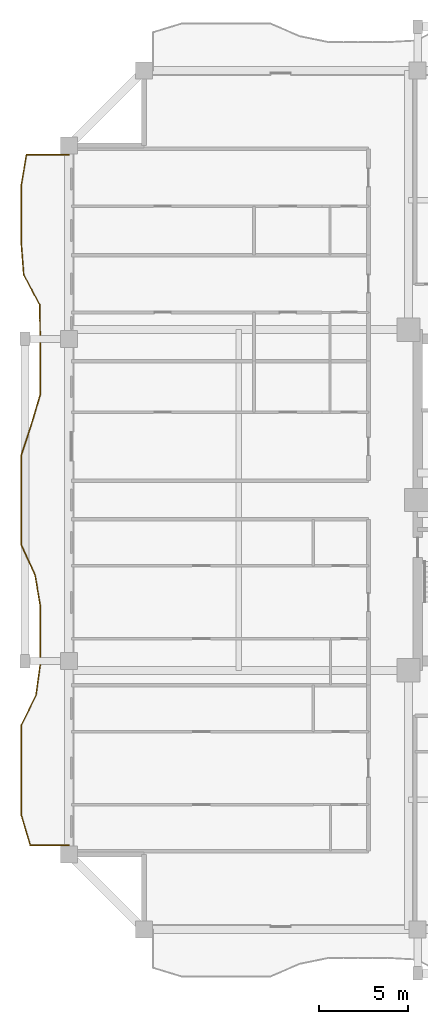
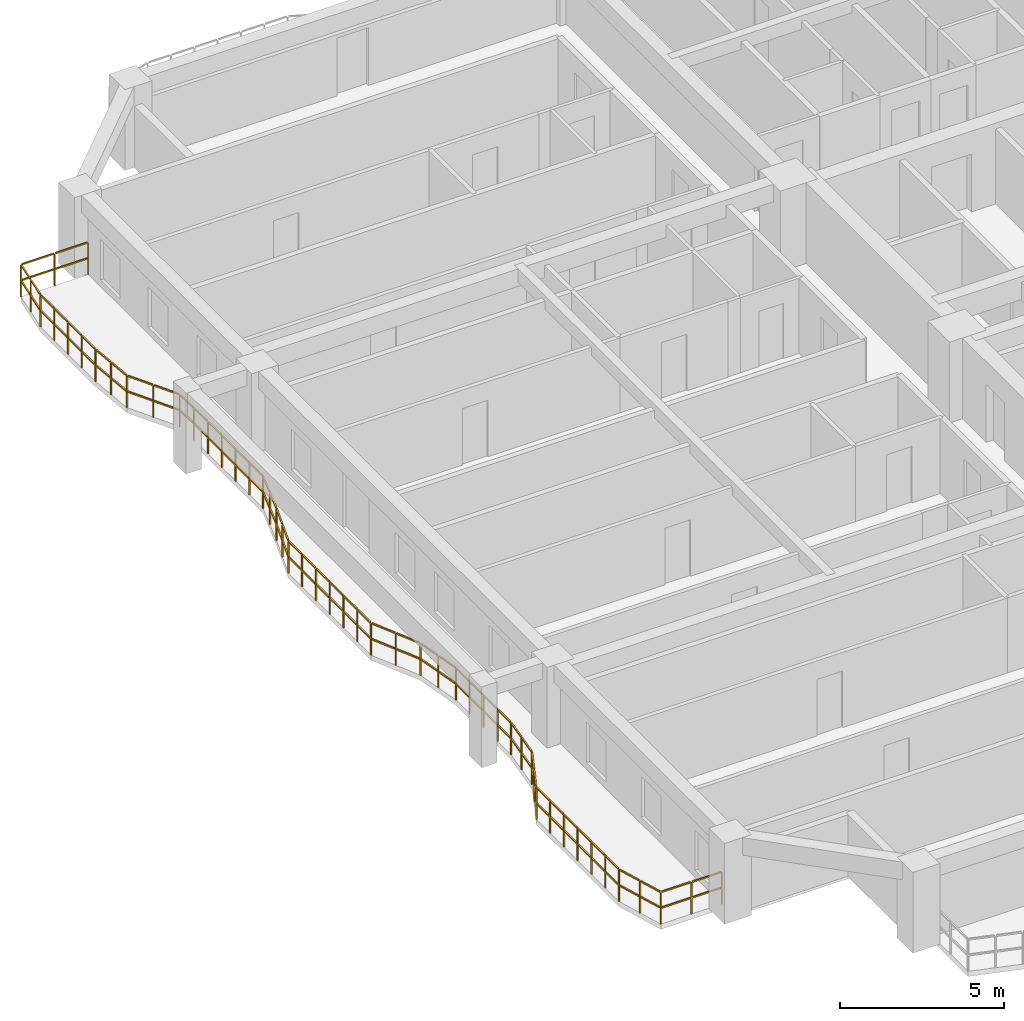
# One storey, part 11 of 14: 1 railing.
"""IFC4 building model written with IfcOpenShell, lengths in metres."""

from ifc_helpers import new_model, si_unit, direction, frame, origin, origin_2d, place, context, subcontext, project, spatial, rectangle, extrude, material, type_object, element, save


model = new_model("IFC4")

# Units and contexts
model_context = context("Model", 3, precision=1e-05, world=origin(), true_north=direction((0.0, 1.0)))
body_context = subcontext(model_context, "Body", "Model", "MODEL_VIEW")
ifc_project = project(units=[si_unit("LENGTHUNIT", "METRE"), si_unit("AREAUNIT", "SQUARE_METRE"), si_unit("VOLUMEUNIT", "CUBIC_METRE"), si_unit("PLANEANGLEUNIT", "RADIAN"), si_unit("MASSUNIT", "GRAM", prefix="KILO")], contexts=[model_context])

# Site, building, storey
site_placement = place(None, origin())
site = spatial("IfcSite", under=ifc_project, at=site_placement, CompositionType="ELEMENT")
building_placement = place(site_placement, origin())
building = spatial("IfcBuilding", under=site, at=building_placement, Name="Saelheon Loggia Tower", CompositionType="ELEMENT")
storey_placement = place(building_placement, frame((0.0, 0.0, 113.85009765625)))
storey = spatial("IfcBuildingStorey", under=building, at=storey_placement, Name="L36", CompositionType="ELEMENT", Elevation=113.85009765625)

# Railing
ifc_material = material(Name="Architectural Precast Concrete and Laminated Glass Guard", Category="concrete")
railing_type = type_object("IfcRailingType", Name="Guard_Loggia_RL_LOG", PredefinedType="BALUSTRADE", material=ifc_material)
railing_placement = place(storey_placement, frame((12.0, 46.300048828125, 0.0)))
element("IfcRailing", 1, at=railing_placement, inside=storey, type_object=railing_type, Name="L36 West Loggia Balustrade", PredefinedType="BALUSTRADE", context=body_context, shape_type="SweptSolid", body=[
    extrude(rectangle(XDim=0.048095703125, YDim=0.048095703125, at=origin_2d()), frame((-0.033203125, 0.0, 1.19580078125), z_axis=(-1.0, 0.0, 0.0), x_axis=(0.0, -1.0, 0.0)), (0.0, 0.0, 1.0), 1.116943359375),
    extrude(rectangle(XDim=0.048095703125, YDim=0.048095703125, at=origin_2d()), frame((-0.033203125, 0.0, 0.60986328125), z_axis=(-1.0, 0.0, 0.0), x_axis=(0.0, -1.0, 0.0)), (0.0, 0.0, 1.0), 1.116943359375),
    extrude(rectangle(XDim=0.048095703125, YDim=0.048095703125, at=origin_2d()), frame((-1.216552734375, 0.0, 1.19580078125), z_axis=(-1.0, 0.0, 0.0), x_axis=(0.0, -1.0, 0.0)), (0.0, 0.0, 1.0), 1.116943359375),
    extrude(rectangle(XDim=0.048095703125, YDim=0.048095703125, at=origin_2d()), frame((-1.216552734375, 0.0, 0.60986328125), z_axis=(-1.0, 0.0, 0.0), x_axis=(0.0, -1.0, 0.0)), (0.0, 0.0, 1.0), 1.116943359375),
    extrude(rectangle(XDim=0.048095703125, YDim=0.048095703125, at=origin_2d()), frame((-2.372314453125, -0.03271484375, 1.19580078125), z_axis=(-0.166375627522, -0.9860624476, 0.0), x_axis=(0.9860624476, -0.166375627522, 0.0)), (0.0, 0.0, 1.0), 0.78466796875),
    extrude(rectangle(XDim=0.048095703125, YDim=0.048095703125, at=origin_2d()), frame((-2.372314453125, -0.03271484375, 0.60986328125), z_axis=(-0.166375627522, -0.9860624476, 0.0), x_axis=(0.9860624476, -0.166375627522, 0.0)), (0.0, 0.0, 1.0), 0.78466796875),
    extrude(rectangle(XDim=0.048095703125, YDim=0.048095703125, at=origin_2d()), frame((-2.513916015625, -0.8720703125, 1.19580078125), z_axis=(-0.166375627522, -0.9860624476, 0.0), x_axis=(0.9860624476, -0.166375627522, 0.0)), (0.0, 0.0, 1.0), 0.78466796875),
    extrude(rectangle(XDim=0.048095703125, YDim=0.048095703125, at=origin_2d()), frame((-2.513916015625, -0.8720703125, 0.60986328125), z_axis=(-0.166375627522, -0.9860624476, 0.0), x_axis=(0.9860624476, -0.166375627522, 0.0)), (0.0, 0.0, 1.0), 0.78466796875),
    extrude(rectangle(XDim=0.048095703125, YDim=0.048095703125, at=origin_2d()), frame((-2.64990234375, -1.711669921875, 1.19580078125), z_axis=(0.0, -1.0, 0.0), x_axis=(1.0, 0.0, 0.0)), (0.0, 0.0, 1.0), 0.7724609375),
    extrude(rectangle(XDim=0.048095703125, YDim=0.048095703125, at=origin_2d()), frame((-2.64990234375, -1.711669921875, 0.60986328125), z_axis=(0.0, -1.0, 0.0), x_axis=(1.0, 0.0, 0.0)), (0.0, 0.0, 1.0), 0.7724609375),
    extrude(rectangle(XDim=0.048095703125, YDim=0.048095703125, at=origin_2d()), frame((-2.64990234375, -2.55078125, 1.19580078125), z_axis=(0.0, -1.0, 0.0), x_axis=(1.0, 0.0, 0.0)), (0.0, 0.0, 1.0), 0.7724609375),
    extrude(rectangle(XDim=0.048095703125, YDim=0.048095703125, at=origin_2d()), frame((-2.64990234375, -2.55078125, 0.60986328125), z_axis=(0.0, -1.0, 0.0), x_axis=(1.0, 0.0, 0.0)), (0.0, 0.0, 1.0), 0.7724609375),
    extrude(rectangle(XDim=0.048095703125, YDim=0.048095703125, at=origin_2d()), frame((-2.64990234375, -3.3896484375, 1.19580078125), z_axis=(0.0, -1.0, 0.0), x_axis=(1.0, 0.0, 0.0)), (0.0, 0.0, 1.0), 0.772705078125),
    extrude(rectangle(XDim=0.048095703125, YDim=0.048095703125, at=origin_2d()), frame((-2.64990234375, -3.3896484375, 0.60986328125), z_axis=(0.0, -1.0, 0.0), x_axis=(1.0, 0.0, 0.0)), (0.0, 0.0, 1.0), 0.772705078125),
    extrude(rectangle(XDim=0.048095703125, YDim=0.048095703125, at=origin_2d()), frame((-2.64990234375, -4.22900390625, 1.19580078125), z_axis=(0.0, -1.0, 0.0), x_axis=(1.0, 0.0, 0.0)), (0.0, 0.0, 1.0), 0.772705078125),
    extrude(rectangle(XDim=0.048095703125, YDim=0.048095703125, at=origin_2d()), frame((-2.64990234375, -4.22900390625, 0.60986328125), z_axis=(0.0, -1.0, 0.0), x_axis=(1.0, 0.0, 0.0)), (0.0, 0.0, 1.0), 0.772705078125),
    extrude(rectangle(XDim=0.048095703125, YDim=0.048095703125, at=origin_2d()), frame((-2.647216796875, -5.068115234375, 1.19580078125), z_axis=(0.07788316248, -0.996962493277, 0.0), x_axis=(0.996962493277, 0.07788316248, 0.0)), (0.0, 0.0, 1.0), 0.775146484375),
    extrude(rectangle(XDim=0.048095703125, YDim=0.048095703125, at=origin_2d()), frame((-2.647216796875, -5.068115234375, 0.60986328125), z_axis=(0.07788316248, -0.996962493277, 0.0), x_axis=(0.996962493277, 0.07788316248, 0.0)), (0.0, 0.0, 1.0), 0.775146484375),
    extrude(rectangle(XDim=0.048095703125, YDim=0.048095703125, at=origin_2d()), frame((-2.581787109375, -5.9072265625, 1.19580078125), z_axis=(0.07788316248, -0.996962493277, 0.0), x_axis=(0.996962493277, 0.07788316248, 0.0)), (0.0, 0.0, 1.0), 0.775146484375),
    extrude(rectangle(XDim=0.048095703125, YDim=0.048095703125, at=origin_2d()), frame((-2.581787109375, -5.9072265625, 0.60986328125), z_axis=(0.07788316248, -0.996962493277, 0.0), x_axis=(0.996962493277, 0.07788316248, 0.0)), (0.0, 0.0, 1.0), 0.775146484375),
    extrude(rectangle(XDim=0.048095703125, YDim=0.048095703125, at=origin_2d()), frame((-2.503173828125, -6.742431640625, 1.19580078125), z_axis=(0.469974960168, -0.882679747595, 0.0), x_axis=(0.882679747595, 0.469974960168, 0.0)), (0.0, 0.0, 1.0), 0.88427734375),
    extrude(rectangle(XDim=0.048095703125, YDim=0.048095703125, at=origin_2d()), frame((-2.503173828125, -6.742431640625, 0.60986328125), z_axis=(0.469974960168, -0.882679747595, 0.0), x_axis=(0.882679747595, 0.469974960168, 0.0)), (0.0, 0.0, 1.0), 0.88427734375),
    extrude(rectangle(XDim=0.048095703125, YDim=0.048095703125, at=origin_2d()), frame((-2.056396484375, -7.58154296875, 1.19580078125), z_axis=(0.469974960168, -0.882679747595, 0.0), x_axis=(0.882679747595, 0.469974960168, 0.0)), (0.0, 0.0, 1.0), 0.88427734375),
    extrude(rectangle(XDim=0.048095703125, YDim=0.048095703125, at=origin_2d()), frame((-2.056396484375, -7.58154296875, 0.60986328125), z_axis=(0.469974960168, -0.882679747595, 0.0), x_axis=(0.882679747595, 0.469974960168, 0.0)), (0.0, 0.0, 1.0), 0.88427734375),
    extrude(rectangle(XDim=0.048095703125, YDim=0.048095703125, at=origin_2d()), frame((-1.624755859375, -8.424560546875, 1.19580078125), z_axis=(0.014982315851, -0.999887758807, 0.0), x_axis=(0.999887758807, 0.014982315851, 0.0)), (0.0, 0.0, 1.0), 0.772705078125),
    extrude(rectangle(XDim=0.048095703125, YDim=0.048095703125, at=origin_2d()), frame((-1.624755859375, -8.424560546875, 0.60986328125), z_axis=(0.014982315851, -0.999887758807, 0.0), x_axis=(0.999887758807, 0.014982315851, 0.0)), (0.0, 0.0, 1.0), 0.772705078125),
    extrude(rectangle(XDim=0.048095703125, YDim=0.048095703125, at=origin_2d()), frame((-1.612060546875, -9.263671875, 1.19580078125), z_axis=(0.014982315851, -0.999887758807, 0.0), x_axis=(0.999887758807, 0.014982315851, 0.0)), (0.0, 0.0, 1.0), 0.772705078125),
    extrude(rectangle(XDim=0.048095703125, YDim=0.048095703125, at=origin_2d()), frame((-1.612060546875, -9.263671875, 0.60986328125), z_axis=(0.014982315851, -0.999887758807, 0.0), x_axis=(0.999887758807, 0.014982315851, 0.0)), (0.0, 0.0, 1.0), 0.772705078125),
    extrude(rectangle(XDim=0.048095703125, YDim=0.048095703125, at=origin_2d()), frame((-1.60009765625, -10.102783203125, 1.19580078125), z_axis=(0.0, -1.0, 0.0), x_axis=(1.0, 0.0, 0.0)), (0.0, 0.0, 1.0), 0.772705078125),
    extrude(rectangle(XDim=0.048095703125, YDim=0.048095703125, at=origin_2d()), frame((-1.60009765625, -10.102783203125, 0.60986328125), z_axis=(0.0, -1.0, 0.0), x_axis=(1.0, 0.0, 0.0)), (0.0, 0.0, 1.0), 0.772705078125),
    extrude(rectangle(XDim=0.048095703125, YDim=0.048095703125, at=origin_2d()), frame((-1.60009765625, -10.94189453125, 1.19580078125), z_axis=(0.0, -1.0, 0.0), x_axis=(1.0, 0.0, 0.0)), (0.0, 0.0, 1.0), 0.772705078125),
    extrude(rectangle(XDim=0.048095703125, YDim=0.048095703125, at=origin_2d()), frame((-1.60009765625, -10.94189453125, 0.60986328125), z_axis=(0.0, -1.0, 0.0), x_axis=(1.0, 0.0, 0.0)), (0.0, 0.0, 1.0), 0.772705078125),
    extrude(rectangle(XDim=0.048095703125, YDim=0.048095703125, at=origin_2d()), frame((-1.60009765625, -11.781005859375, 1.19580078125), z_axis=(0.0, -1.0, 0.0), x_axis=(1.0, 0.0, 0.0)), (0.0, 0.0, 1.0), 0.772705078125),
    extrude(rectangle(XDim=0.048095703125, YDim=0.048095703125, at=origin_2d()), frame((-1.60009765625, -11.781005859375, 0.60986328125), z_axis=(0.0, -1.0, 0.0), x_axis=(1.0, 0.0, 0.0)), (0.0, 0.0, 1.0), 0.772705078125),
    extrude(rectangle(XDim=0.048095703125, YDim=0.048095703125, at=origin_2d()), frame((-1.60009765625, -12.620361328125, 1.19580078125), z_axis=(0.0, -1.0, 0.0), x_axis=(1.0, 0.0, 0.0)), (0.0, 0.0, 1.0), 0.772705078125),
    extrude(rectangle(XDim=0.048095703125, YDim=0.048095703125, at=origin_2d()), frame((-1.60009765625, -12.620361328125, 0.60986328125), z_axis=(0.0, -1.0, 0.0), x_axis=(1.0, 0.0, 0.0)), (0.0, 0.0, 1.0), 0.772705078125),
    extrude(rectangle(XDim=0.048095703125, YDim=0.048095703125, at=origin_2d()), frame((-1.609619140625, -13.458251953125, 1.19580078125), z_axis=(-0.284416013132, -0.958700960401, 0.0), x_axis=(0.958700960401, -0.284416013132, 0.0)), (0.0, 0.0, 1.0), 0.80859375),
    extrude(rectangle(XDim=0.048095703125, YDim=0.048095703125, at=origin_2d()), frame((-1.609619140625, -13.458251953125, 0.60986328125), z_axis=(-0.284416013132, -0.958700960401, 0.0), x_axis=(0.958700960401, -0.284416013132, 0.0)), (0.0, 0.0, 1.0), 0.80859375),
    extrude(rectangle(XDim=0.048095703125, YDim=0.048095703125, at=origin_2d()), frame((-1.8583984375, -14.297119140625, 1.19580078125), z_axis=(-0.284416013132, -0.958700960401, 0.0), x_axis=(0.958700960401, -0.284416013132, 0.0)), (0.0, 0.0, 1.0), 0.80859375),
    extrude(rectangle(XDim=0.048095703125, YDim=0.048095703125, at=origin_2d()), frame((-1.8583984375, -14.297119140625, 0.60986328125), z_axis=(-0.284416013132, -0.958700960401, 0.0), x_axis=(0.958700960401, -0.284416013132, 0.0)), (0.0, 0.0, 1.0), 0.80859375),
    extrude(rectangle(XDim=0.048095703125, YDim=0.048095703125, at=origin_2d()), frame((-2.1083984375, -15.1357421875, 1.19580078125), z_axis=(-0.312411606213, -0.949946834461, 0.0), x_axis=(0.949946834461, -0.312411606213, 0.0)), (0.0, 0.0, 1.0), 0.81689453125),
    extrude(rectangle(XDim=0.048095703125, YDim=0.048095703125, at=origin_2d()), frame((-2.1083984375, -15.1357421875, 0.60986328125), z_axis=(-0.312411606213, -0.949946834461, 0.0), x_axis=(0.949946834461, -0.312411606213, 0.0)), (0.0, 0.0, 1.0), 0.81689453125),
    extrude(rectangle(XDim=0.048095703125, YDim=0.048095703125, at=origin_2d()), frame((-2.38427734375, -15.97509765625, 1.19580078125), z_axis=(-0.312411606213, -0.949946834461, 0.0), x_axis=(0.949946834461, -0.312411606213, 0.0)), (0.0, 0.0, 1.0), 0.81689453125),
    extrude(rectangle(XDim=0.048095703125, YDim=0.048095703125, at=origin_2d()), frame((-2.38427734375, -15.97509765625, 0.60986328125), z_axis=(-0.312411606213, -0.949946834461, 0.0), x_axis=(0.949946834461, -0.312411606213, 0.0)), (0.0, 0.0, 1.0), 0.81689453125),
    extrude(rectangle(XDim=0.048095703125, YDim=0.048095703125, at=origin_2d()), frame((-2.64990234375, -16.81591796875, 1.19580078125), z_axis=(0.0, -1.0, 0.0), x_axis=(1.0, 0.0, 0.0)), (0.0, 0.0, 1.0), 0.772705078125),
    extrude(rectangle(XDim=0.048095703125, YDim=0.048095703125, at=origin_2d()), frame((-2.64990234375, -16.81591796875, 0.60986328125), z_axis=(0.0, -1.0, 0.0), x_axis=(1.0, 0.0, 0.0)), (0.0, 0.0, 1.0), 0.772705078125),
    extrude(rectangle(XDim=0.048095703125, YDim=0.048095703125, at=origin_2d()), frame((-2.64990234375, -17.655029296875, 1.19580078125), z_axis=(0.0, -1.0, 0.0), x_axis=(1.0, 0.0, 0.0)), (0.0, 0.0, 1.0), 0.772705078125),
    extrude(rectangle(XDim=0.048095703125, YDim=0.048095703125, at=origin_2d()), frame((-2.64990234375, -17.655029296875, 0.60986328125), z_axis=(0.0, -1.0, 0.0), x_axis=(1.0, 0.0, 0.0)), (0.0, 0.0, 1.0), 0.772705078125),
    extrude(rectangle(XDim=0.048095703125, YDim=0.048095703125, at=origin_2d()), frame((-2.64990234375, -18.494140625, 1.19580078125), z_axis=(0.0, -1.0, 0.0), x_axis=(1.0, 0.0, 0.0)), (0.0, 0.0, 1.0), 0.772705078125),
    extrude(rectangle(XDim=0.048095703125, YDim=0.048095703125, at=origin_2d()), frame((-2.64990234375, -18.494140625, 0.60986328125), z_axis=(0.0, -1.0, 0.0), x_axis=(1.0, 0.0, 0.0)), (0.0, 0.0, 1.0), 0.772705078125),
    extrude(rectangle(XDim=0.048095703125, YDim=0.048095703125, at=origin_2d()), frame((-2.64990234375, -19.333251953125, 1.19580078125), z_axis=(0.0, -1.0, 0.0), x_axis=(1.0, 0.0, 0.0)), (0.0, 0.0, 1.0), 0.772705078125),
    extrude(rectangle(XDim=0.048095703125, YDim=0.048095703125, at=origin_2d()), frame((-2.64990234375, -19.333251953125, 0.60986328125), z_axis=(0.0, -1.0, 0.0), x_axis=(1.0, 0.0, 0.0)), (0.0, 0.0, 1.0), 0.772705078125),
    extrude(rectangle(XDim=0.048095703125, YDim=0.048095703125, at=origin_2d()), frame((-2.64990234375, -20.17236328125, 1.19580078125), z_axis=(0.0, -1.0, 0.0), x_axis=(1.0, 0.0, 0.0)), (0.0, 0.0, 1.0), 0.772705078125),
    extrude(rectangle(XDim=0.048095703125, YDim=0.048095703125, at=origin_2d()), frame((-2.64990234375, -20.17236328125, 0.60986328125), z_axis=(0.0, -1.0, 0.0), x_axis=(1.0, 0.0, 0.0)), (0.0, 0.0, 1.0), 0.772705078125),
    extrude(rectangle(XDim=0.048095703125, YDim=0.048095703125, at=origin_2d()), frame((-2.64990234375, -21.011474609375, 1.19580078125), z_axis=(0.0, -1.0, 0.0), x_axis=(1.0, 0.0, 0.0)), (0.0, 0.0, 1.0), 0.772705078125),
    extrude(rectangle(XDim=0.048095703125, YDim=0.048095703125, at=origin_2d()), frame((-2.64990234375, -21.011474609375, 0.60986328125), z_axis=(0.0, -1.0, 0.0), x_axis=(1.0, 0.0, 0.0)), (0.0, 0.0, 1.0), 0.772705078125),
    extrude(rectangle(XDim=0.048095703125, YDim=0.048095703125, at=origin_2d()), frame((-2.635986328125, -21.84765625, 1.19580078125), z_axis=(0.41588480052, -0.909417303935, 0.0), x_axis=(0.909417303935, 0.41588480052, 0.0)), (0.0, 0.0, 1.0), 0.8564453125),
    extrude(rectangle(XDim=0.048095703125, YDim=0.048095703125, at=origin_2d()), frame((-2.635986328125, -21.84765625, 0.60986328125), z_axis=(0.41588480052, -0.909417303935, 0.0), x_axis=(0.909417303935, 0.41588480052, 0.0)), (0.0, 0.0, 1.0), 0.8564453125),
    extrude(rectangle(XDim=0.048095703125, YDim=0.048095703125, at=origin_2d()), frame((-2.252197265625, -22.686767578125, 1.19580078125), z_axis=(0.41588480052, -0.909417303935, 0.0), x_axis=(0.909417303935, 0.41588480052, 0.0)), (0.0, 0.0, 1.0), 0.8564453125),
    extrude(rectangle(XDim=0.048095703125, YDim=0.048095703125, at=origin_2d()), frame((-2.252197265625, -22.686767578125, 0.60986328125), z_axis=(0.41588480052, -0.909417303935, 0.0), x_axis=(0.909417303935, 0.41588480052, 0.0)), (0.0, 0.0, 1.0), 0.8564453125),
    extrude(rectangle(XDim=0.048095703125, YDim=0.048095703125, at=origin_2d()), frame((-1.876708984375, -23.528564453125, 1.19580078125), z_axis=(0.165864644071, -0.986148528289, 0.0), x_axis=(0.986148528289, 0.165864644071, 0.0)), (0.0, 0.0, 1.0), 0.784423828125),
    extrude(rectangle(XDim=0.048095703125, YDim=0.048095703125, at=origin_2d()), frame((-1.876708984375, -23.528564453125, 0.60986328125), z_axis=(0.165864644071, -0.986148528289, 0.0), x_axis=(0.986148528289, 0.165864644071, 0.0)), (0.0, 0.0, 1.0), 0.784423828125),
    extrude(rectangle(XDim=0.048095703125, YDim=0.048095703125, at=origin_2d()), frame((-1.735595703125, -24.36767578125, 1.19580078125), z_axis=(0.165864644071, -0.986148528289, 0.0), x_axis=(0.986148528289, 0.165864644071, 0.0)), (0.0, 0.0, 1.0), 0.784423828125),
    extrude(rectangle(XDim=0.048095703125, YDim=0.048095703125, at=origin_2d()), frame((-1.735595703125, -24.36767578125, 0.60986328125), z_axis=(0.165864644071, -0.986148528289, 0.0), x_axis=(0.986148528289, 0.165864644071, 0.0)), (0.0, 0.0, 1.0), 0.784423828125),
    extrude(rectangle(XDim=0.048095703125, YDim=0.048095703125, at=origin_2d()), frame((-1.60009765625, -25.20703125, 1.19580078125), z_axis=(0.0, -1.0, 0.0), x_axis=(1.0, 0.0, 0.0)), (0.0, 0.0, 1.0), 0.772705078125),
    extrude(rectangle(XDim=0.048095703125, YDim=0.048095703125, at=origin_2d()), frame((-1.60009765625, -25.20703125, 0.60986328125), z_axis=(0.0, -1.0, 0.0), x_axis=(1.0, 0.0, 0.0)), (0.0, 0.0, 1.0), 0.772705078125),
    extrude(rectangle(XDim=0.048095703125, YDim=0.048095703125, at=origin_2d()), frame((-1.60009765625, -26.04638671875, 1.19580078125), z_axis=(0.0, -1.0, 0.0), x_axis=(1.0, 0.0, 0.0)), (0.0, 0.0, 1.0), 0.772705078125),
    extrude(rectangle(XDim=0.048095703125, YDim=0.048095703125, at=origin_2d()), frame((-1.60009765625, -26.04638671875, 0.60986328125), z_axis=(0.0, -1.0, 0.0), x_axis=(1.0, 0.0, 0.0)), (0.0, 0.0, 1.0), 0.772705078125),
    extrude(rectangle(XDim=0.048095703125, YDim=0.048095703125, at=origin_2d()), frame((-1.60009765625, -26.885498046875, 1.19580078125), z_axis=(0.0, -1.0, 0.0), x_axis=(1.0, 0.0, 0.0)), (0.0, 0.0, 1.0), 0.772705078125),
    extrude(rectangle(XDim=0.048095703125, YDim=0.048095703125, at=origin_2d()), frame((-1.60009765625, -26.885498046875, 0.60986328125), z_axis=(0.0, -1.0, 0.0), x_axis=(1.0, 0.0, 0.0)), (0.0, 0.0, 1.0), 0.772705078125),
    extrude(rectangle(XDim=0.048095703125, YDim=0.048095703125, at=origin_2d()), frame((-1.60009765625, -27.724609375, 1.19580078125), z_axis=(0.0, -1.0, 0.0), x_axis=(1.0, 0.0, 0.0)), (0.0, 0.0, 1.0), 0.772705078125),
    extrude(rectangle(XDim=0.048095703125, YDim=0.048095703125, at=origin_2d()), frame((-1.60009765625, -27.724609375, 0.60986328125), z_axis=(0.0, -1.0, 0.0), x_axis=(1.0, 0.0, 0.0)), (0.0, 0.0, 1.0), 0.772705078125),
    extrude(rectangle(XDim=0.048095703125, YDim=0.048095703125, at=origin_2d()), frame((-1.604736328125, -28.5634765625, 1.19580078125), z_axis=(-0.136617890743, -0.990623819585, 0.0), x_axis=(0.990623819585, -0.136617890743, 0.0)), (0.0, 0.0, 1.0), 0.780517578125),
    extrude(rectangle(XDim=0.048095703125, YDim=0.048095703125, at=origin_2d()), frame((-1.604736328125, -28.5634765625, 0.60986328125), z_axis=(-0.136617890743, -0.990623819585, 0.0), x_axis=(0.990623819585, -0.136617890743, 0.0)), (0.0, 0.0, 1.0), 0.780517578125),
    extrude(rectangle(XDim=0.048095703125, YDim=0.048095703125, at=origin_2d()), frame((-1.720458984375, -29.402587890625, 1.19580078125), z_axis=(-0.136617890743, -0.990623819585, 0.0), x_axis=(0.990623819585, -0.136617890743, 0.0)), (0.0, 0.0, 1.0), 0.780517578125),
    extrude(rectangle(XDim=0.048095703125, YDim=0.048095703125, at=origin_2d()), frame((-1.720458984375, -29.402587890625, 0.60986328125), z_axis=(-0.136617890743, -0.990623819585, 0.0), x_axis=(0.990623819585, -0.136617890743, 0.0)), (0.0, 0.0, 1.0), 0.780517578125),
    extrude(rectangle(XDim=0.048095703125, YDim=0.048095703125, at=origin_2d()), frame((-1.84619140625, -30.238525390625, 1.19580078125), z_axis=(-0.438299970377, -0.898828757867, 0.0), x_axis=(0.898828757867, -0.438299970377, 0.0)), (0.0, 0.0, 1.0), 0.8671875),
    extrude(rectangle(XDim=0.048095703125, YDim=0.048095703125, at=origin_2d()), frame((-1.84619140625, -30.238525390625, 0.60986328125), z_axis=(-0.438299970377, -0.898828757867, 0.0), x_axis=(0.898828757867, -0.438299970377, 0.0)), (0.0, 0.0, 1.0), 0.8671875),
    extrude(rectangle(XDim=0.048095703125, YDim=0.048095703125, at=origin_2d()), frame((-2.25537109375, -31.07763671875, 1.19580078125), z_axis=(-0.438299970377, -0.898828757867, 0.0), x_axis=(0.898828757867, -0.438299970377, 0.0)), (0.0, 0.0, 1.0), 0.8671875),
    extrude(rectangle(XDim=0.048095703125, YDim=0.048095703125, at=origin_2d()), frame((-2.25537109375, -31.07763671875, 0.60986328125), z_axis=(-0.438299970377, -0.898828757867, 0.0), x_axis=(0.898828757867, -0.438299970377, 0.0)), (0.0, 0.0, 1.0), 0.8671875),
    extrude(rectangle(XDim=0.048095703125, YDim=0.048095703125, at=origin_2d()), frame((-2.64990234375, -31.920166015625, 1.19580078125), z_axis=(0.0, -1.0, 0.0), x_axis=(1.0, 0.0, 0.0)), (0.0, 0.0, 1.0), 0.772705078125),
    extrude(rectangle(XDim=0.048095703125, YDim=0.048095703125, at=origin_2d()), frame((-2.64990234375, -31.920166015625, 0.60986328125), z_axis=(0.0, -1.0, 0.0), x_axis=(1.0, 0.0, 0.0)), (0.0, 0.0, 1.0), 0.772705078125),
    extrude(rectangle(XDim=0.048095703125, YDim=0.048095703125, at=origin_2d()), frame((-2.64990234375, -32.75927734375, 1.19580078125), z_axis=(0.0, -1.0, 0.0), x_axis=(1.0, 0.0, 0.0)), (0.0, 0.0, 1.0), 0.772705078125),
    extrude(rectangle(XDim=0.048095703125, YDim=0.048095703125, at=origin_2d()), frame((-2.64990234375, -32.75927734375, 0.60986328125), z_axis=(0.0, -1.0, 0.0), x_axis=(1.0, 0.0, 0.0)), (0.0, 0.0, 1.0), 0.772705078125),
    extrude(rectangle(XDim=0.048095703125, YDim=0.048095703125, at=origin_2d()), frame((-2.64990234375, -33.598388671875, 1.19580078125), z_axis=(0.0, -1.0, 0.0), x_axis=(1.0, 0.0, 0.0)), (0.0, 0.0, 1.0), 0.772705078125),
    extrude(rectangle(XDim=0.048095703125, YDim=0.048095703125, at=origin_2d()), frame((-2.64990234375, -33.598388671875, 0.60986328125), z_axis=(0.0, -1.0, 0.0), x_axis=(1.0, 0.0, 0.0)), (0.0, 0.0, 1.0), 0.772705078125),
    extrude(rectangle(XDim=0.048095703125, YDim=0.048095703125, at=origin_2d()), frame((-2.64990234375, -34.437744140625, 1.19580078125), z_axis=(0.0, -1.0, 0.0), x_axis=(1.0, 0.0, 0.0)), (0.0, 0.0, 1.0), 0.772705078125),
    extrude(rectangle(XDim=0.048095703125, YDim=0.048095703125, at=origin_2d()), frame((-2.64990234375, -34.437744140625, 0.60986328125), z_axis=(0.0, -1.0, 0.0), x_axis=(1.0, 0.0, 0.0)), (0.0, 0.0, 1.0), 0.772705078125),
    extrude(rectangle(XDim=0.048095703125, YDim=0.048095703125, at=origin_2d()), frame((-2.64990234375, -35.27685546875, 1.19580078125), z_axis=(0.0, -1.0, 0.0), x_axis=(1.0, 0.0, 0.0)), (0.0, 0.0, 1.0), 0.7724609375),
    extrude(rectangle(XDim=0.048095703125, YDim=0.048095703125, at=origin_2d()), frame((-2.64990234375, -35.27685546875, 0.60986328125), z_axis=(0.0, -1.0, 0.0), x_axis=(1.0, 0.0, 0.0)), (0.0, 0.0, 1.0), 0.7724609375),
    extrude(rectangle(XDim=0.048095703125, YDim=0.048095703125, at=origin_2d()), frame((-2.64990234375, -36.115966796875, 1.19580078125), z_axis=(0.0, -1.0, 0.0), x_axis=(1.0, 0.0, 0.0)), (0.0, 0.0, 1.0), 0.7724609375),
    extrude(rectangle(XDim=0.048095703125, YDim=0.048095703125, at=origin_2d()), frame((-2.64990234375, -36.115966796875, 0.60986328125), z_axis=(0.0, -1.0, 0.0), x_axis=(1.0, 0.0, 0.0)), (0.0, 0.0, 1.0), 0.7724609375),
    extrude(rectangle(XDim=0.048095703125, YDim=0.048095703125, at=origin_2d()), frame((-2.640380859375, -36.953369140625, 1.19580078125), z_axis=(0.285492932105, -0.958380814561, 0.0), x_axis=(0.958380814561, 0.285492932105, 0.0)), (0.0, 0.0, 1.0), 0.809326171875),
    extrude(rectangle(XDim=0.048095703125, YDim=0.048095703125, at=origin_2d()), frame((-2.640380859375, -36.953369140625, 0.60986328125), z_axis=(0.285492932105, -0.958380814561, 0.0), x_axis=(0.958380814561, 0.285492932105, 0.0)), (0.0, 0.0, 1.0), 0.809326171875),
    extrude(rectangle(XDim=0.048095703125, YDim=0.048095703125, at=origin_2d()), frame((-2.390380859375, -37.792724609375, 1.19580078125), z_axis=(0.285492932105, -0.958380814561, 0.0), x_axis=(0.958380814561, 0.285492932105, 0.0)), (0.0, 0.0, 1.0), 0.809326171875),
    extrude(rectangle(XDim=0.048095703125, YDim=0.048095703125, at=origin_2d()), frame((-2.390380859375, -37.792724609375, 0.60986328125), z_axis=(0.285492932105, -0.958380814561, 0.0), x_axis=(0.958380814561, 0.285492932105, 0.0)), (0.0, 0.0, 1.0), 0.809326171875),
    extrude(rectangle(XDim=0.048095703125, YDim=0.048095703125, at=origin_2d()), frame((-2.11669921875, -38.60009765625, 1.19580078125), z_axis=(1.0, 0.0, 0.0), x_axis=(0.0, 1.0, 0.0)), (0.0, 0.0, 1.0), 1.008544921875),
    extrude(rectangle(XDim=0.048095703125, YDim=0.048095703125, at=origin_2d()), frame((-2.11669921875, -38.60009765625, 0.60986328125), z_axis=(1.0, 0.0, 0.0), x_axis=(0.0, 1.0, 0.0)), (0.0, 0.0, 1.0), 1.008544921875),
    extrude(rectangle(XDim=0.048095703125, YDim=0.048095703125, at=origin_2d()), frame((-1.041748046875, -38.60009765625, 1.19580078125), z_axis=(1.0, 0.0, 0.0), x_axis=(0.0, 1.0, 0.0)), (0.0, 0.0, 1.0), 1.008544921875),
    extrude(rectangle(XDim=0.048095703125, YDim=0.048095703125, at=origin_2d()), frame((-1.041748046875, -38.60009765625, 0.60986328125), z_axis=(1.0, 0.0, 0.0), x_axis=(0.0, 1.0, 0.0)), (0.0, 0.0, 1.0), 1.008544921875),
    extrude(rectangle(XDim=0.0419921875, YDim=0.0419921875, at=origin_2d()), origin(), (0.0, 0.0, 1.0), 1.16796875),
    extrude(rectangle(XDim=0.0419921875, YDim=0.0419921875, at=origin_2d()), frame((-1.183349609375, 0.0, 0.0)), (0.0, 0.0, 1.0), 1.16796875),
    extrude(rectangle(XDim=0.0419921875, YDim=0.0419921875, at=origin_2d()), frame((-2.36669921875, 0.0, 0.0)), (0.0, 0.0, 1.0), 1.16796875),
    extrude(rectangle(XDim=0.0419921875, YDim=0.0419921875, at=origin_2d()), frame((-2.50830078125, -0.83935546875, 0.0)), (0.0, 0.0, 1.0), 1.16796875),
    extrude(rectangle(XDim=0.0419921875, YDim=0.0419921875, at=origin_2d()), frame((-2.64990234375, -1.678466796875, 0.0)), (0.0, 0.0, 1.0), 1.16796875),
    extrude(rectangle(XDim=0.0419921875, YDim=0.0419921875, at=origin_2d()), frame((-2.64990234375, -2.517578125, 0.0)), (0.0, 0.0, 1.0), 1.16796875),
    extrude(rectangle(XDim=0.0419921875, YDim=0.0419921875, at=origin_2d()), frame((-2.64990234375, -3.3564453125, 0.0)), (0.0, 0.0, 1.0), 1.16796875),
    extrude(rectangle(XDim=0.0419921875, YDim=0.0419921875, at=origin_2d()), frame((-2.64990234375, -4.19580078125, 0.0)), (0.0, 0.0, 1.0), 1.16796875),
    extrude(rectangle(XDim=0.0419921875, YDim=0.0419921875, at=origin_2d()), frame((-2.64990234375, -5.034912109375, 0.0)), (0.0, 0.0, 1.0), 1.16796875),
    extrude(rectangle(XDim=0.0419921875, YDim=0.0419921875, at=origin_2d()), frame((-2.58447265625, -5.8740234375, 0.0)), (0.0, 0.0, 1.0), 1.16796875),
    extrude(rectangle(XDim=0.0419921875, YDim=0.0419921875, at=origin_2d()), frame((-2.518798828125, -6.713134765625, 0.0)), (0.0, 0.0, 1.0), 1.16796875),
    extrude(rectangle(XDim=0.0419921875, YDim=0.0419921875, at=origin_2d()), frame((-2.072021484375, -7.55224609375, 0.0)), (0.0, 0.0, 1.0), 1.16796875),
    extrude(rectangle(XDim=0.0419921875, YDim=0.0419921875, at=origin_2d()), frame((-1.625244140625, -8.391357421875, 0.0)), (0.0, 0.0, 1.0), 1.16796875),
    extrude(rectangle(XDim=0.0419921875, YDim=0.0419921875, at=origin_2d()), frame((-1.61279296875, -9.23046875, 0.0)), (0.0, 0.0, 1.0), 1.16796875),
    extrude(rectangle(XDim=0.0419921875, YDim=0.0419921875, at=origin_2d()), frame((-1.60009765625, -10.069580078125, 0.0)), (0.0, 0.0, 1.0), 1.16796875),
    extrude(rectangle(XDim=0.0419921875, YDim=0.0419921875, at=origin_2d()), frame((-1.60009765625, -10.90869140625, 0.0)), (0.0, 0.0, 1.0), 1.16796875),
    extrude(rectangle(XDim=0.0419921875, YDim=0.0419921875, at=origin_2d()), frame((-1.60009765625, -11.747802734375, 0.0)), (0.0, 0.0, 1.0), 1.16796875),
    extrude(rectangle(XDim=0.0419921875, YDim=0.0419921875, at=origin_2d()), frame((-1.60009765625, -12.5869140625, 0.0)), (0.0, 0.0, 1.0), 1.16796875),
    extrude(rectangle(XDim=0.0419921875, YDim=0.0419921875, at=origin_2d()), frame((-1.60009765625, -13.42626953125, 0.0)), (0.0, 0.0, 1.0), 1.16796875),
    extrude(rectangle(XDim=0.0419921875, YDim=0.0419921875, at=origin_2d()), frame((-1.84912109375, -14.26513671875, 0.0)), (0.0, 0.0, 1.0), 1.16796875),
    extrude(rectangle(XDim=0.0419921875, YDim=0.0419921875, at=origin_2d()), frame((-2.097900390625, -15.104248046875, 0.0)), (0.0, 0.0, 1.0), 1.16796875),
    extrude(rectangle(XDim=0.0419921875, YDim=0.0419921875, at=origin_2d()), frame((-2.3740234375, -15.943359375, 0.0)), (0.0, 0.0, 1.0), 1.16796875),
    extrude(rectangle(XDim=0.0419921875, YDim=0.0419921875, at=origin_2d()), frame((-2.64990234375, -16.78271484375, 0.0)), (0.0, 0.0, 1.0), 1.16796875),
    extrude(rectangle(XDim=0.0419921875, YDim=0.0419921875, at=origin_2d()), frame((-2.64990234375, -17.621826171875, 0.0)), (0.0, 0.0, 1.0), 1.16796875),
    extrude(rectangle(XDim=0.0419921875, YDim=0.0419921875, at=origin_2d()), frame((-2.64990234375, -18.4609375, 0.0)), (0.0, 0.0, 1.0), 1.16796875),
    extrude(rectangle(XDim=0.0419921875, YDim=0.0419921875, at=origin_2d()), frame((-2.64990234375, -19.300048828125, 0.0)), (0.0, 0.0, 1.0), 1.16796875),
    extrude(rectangle(XDim=0.0419921875, YDim=0.0419921875, at=origin_2d()), frame((-2.64990234375, -20.13916015625, 0.0)), (0.0, 0.0, 1.0), 1.16796875),
    extrude(rectangle(XDim=0.0419921875, YDim=0.0419921875, at=origin_2d()), frame((-2.64990234375, -20.978271484375, 0.0)), (0.0, 0.0, 1.0), 1.16796875),
    extrude(rectangle(XDim=0.0419921875, YDim=0.0419921875, at=origin_2d()), frame((-2.64990234375, -21.8173828125, 0.0)), (0.0, 0.0, 1.0), 1.16796875),
    extrude(rectangle(XDim=0.0419921875, YDim=0.0419921875, at=origin_2d()), frame((-2.26611328125, -22.65673828125, 0.0)), (0.0, 0.0, 1.0), 1.16796875),
    extrude(rectangle(XDim=0.0419921875, YDim=0.0419921875, at=origin_2d()), frame((-1.88232421875, -23.495849609375, 0.0)), (0.0, 0.0, 1.0), 1.16796875),
    extrude(rectangle(XDim=0.0419921875, YDim=0.0419921875, at=origin_2d()), frame((-1.7412109375, -24.3349609375, 0.0)), (0.0, 0.0, 1.0), 1.16796875),
    extrude(rectangle(XDim=0.0419921875, YDim=0.0419921875, at=origin_2d()), frame((-1.60009765625, -25.173828125, 0.0)), (0.0, 0.0, 1.0), 1.16796875),
    extrude(rectangle(XDim=0.0419921875, YDim=0.0419921875, at=origin_2d()), frame((-1.60009765625, -26.01318359375, 0.0)), (0.0, 0.0, 1.0), 1.16796875),
    extrude(rectangle(XDim=0.0419921875, YDim=0.0419921875, at=origin_2d()), frame((-1.60009765625, -26.852294921875, 0.0)), (0.0, 0.0, 1.0), 1.16796875),
    extrude(rectangle(XDim=0.0419921875, YDim=0.0419921875, at=origin_2d()), frame((-1.60009765625, -27.69140625, 0.0)), (0.0, 0.0, 1.0), 1.16796875),
    extrude(rectangle(XDim=0.0419921875, YDim=0.0419921875, at=origin_2d()), frame((-1.60009765625, -28.530517578125, 0.0)), (0.0, 0.0, 1.0), 1.16796875),
    extrude(rectangle(XDim=0.0419921875, YDim=0.0419921875, at=origin_2d()), frame((-1.7158203125, -29.36962890625, 0.0)), (0.0, 0.0, 1.0), 1.16796875),
    extrude(rectangle(XDim=0.0419921875, YDim=0.0419921875, at=origin_2d()), frame((-1.83154296875, -30.208740234375, 0.0)), (0.0, 0.0, 1.0), 1.16796875),
    extrude(rectangle(XDim=0.0419921875, YDim=0.0419921875, at=origin_2d()), frame((-2.24072265625, -31.0478515625, 0.0)), (0.0, 0.0, 1.0), 1.16796875),
    extrude(rectangle(XDim=0.0419921875, YDim=0.0419921875, at=origin_2d()), frame((-2.64990234375, -31.886962890625, 0.0)), (0.0, 0.0, 1.0), 1.16796875),
    extrude(rectangle(XDim=0.0419921875, YDim=0.0419921875, at=origin_2d()), frame((-2.64990234375, -32.72607421875, 0.0)), (0.0, 0.0, 1.0), 1.16796875),
    extrude(rectangle(XDim=0.0419921875, YDim=0.0419921875, at=origin_2d()), frame((-2.64990234375, -33.565185546875, 0.0)), (0.0, 0.0, 1.0), 1.16796875),
    extrude(rectangle(XDim=0.0419921875, YDim=0.0419921875, at=origin_2d()), frame((-2.64990234375, -34.404296875, 0.0)), (0.0, 0.0, 1.0), 1.16796875),
    extrude(rectangle(XDim=0.0419921875, YDim=0.0419921875, at=origin_2d()), frame((-2.64990234375, -35.24365234375, 0.0)), (0.0, 0.0, 1.0), 1.16796875),
    extrude(rectangle(XDim=0.0419921875, YDim=0.0419921875, at=origin_2d()), frame((-2.64990234375, -36.08251953125, 0.0)), (0.0, 0.0, 1.0), 1.16796875),
    extrude(rectangle(XDim=0.0419921875, YDim=0.0419921875, at=origin_2d()), frame((-2.64990234375, -36.921630859375, 0.0)), (0.0, 0.0, 1.0), 1.16796875),
    extrude(rectangle(XDim=0.0419921875, YDim=0.0419921875, at=origin_2d()), frame((-2.39990234375, -37.7607421875, 0.0)), (0.0, 0.0, 1.0), 1.16796875),
    extrude(rectangle(XDim=0.0419921875, YDim=0.0419921875, at=origin_2d()), frame((-2.14990234375, -38.60009765625, 0.0)), (0.0, 0.0, 1.0), 1.16796875),
    extrude(rectangle(XDim=0.0419921875, YDim=0.0419921875, at=origin_2d()), frame((-1.074951171875, -38.60009765625, 0.0)), (0.0, 0.0, 1.0), 1.16796875),
    extrude(rectangle(XDim=0.0419921875, YDim=0.0419921875, at=origin_2d()), frame((0.0, -38.60009765625, 0.0)), (0.0, 0.0, 1.0), 1.16796875),
])

save(model, "model.ifc")
